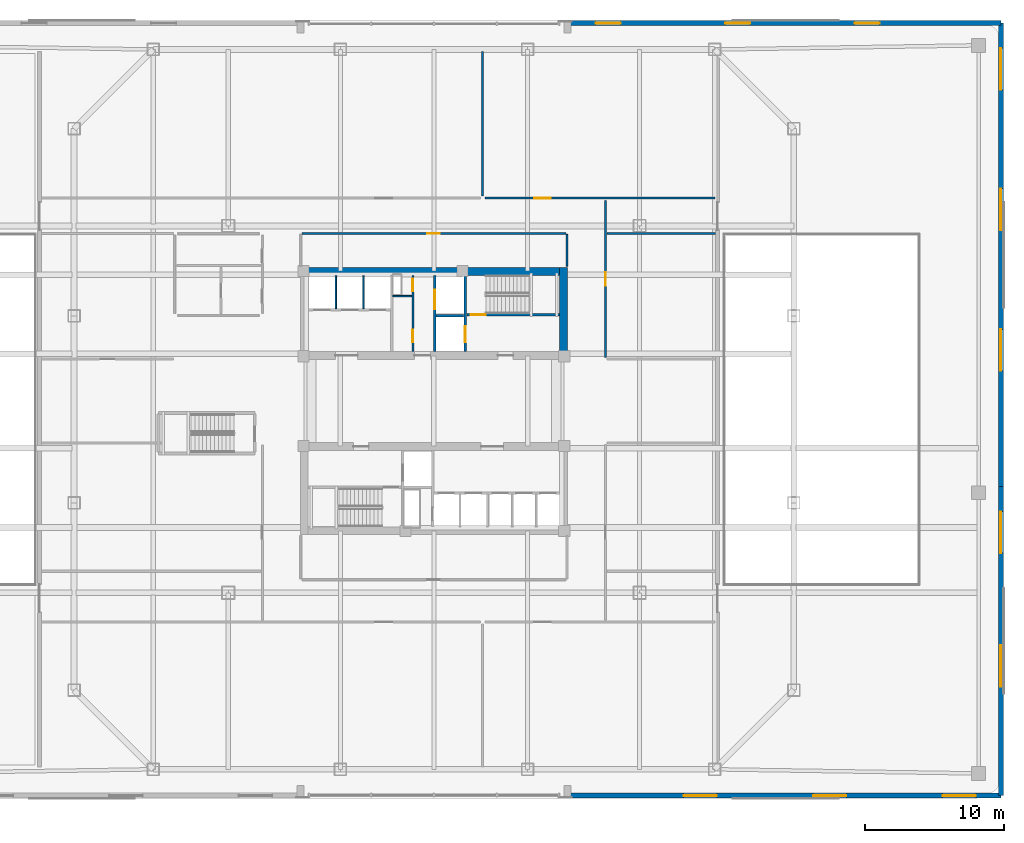
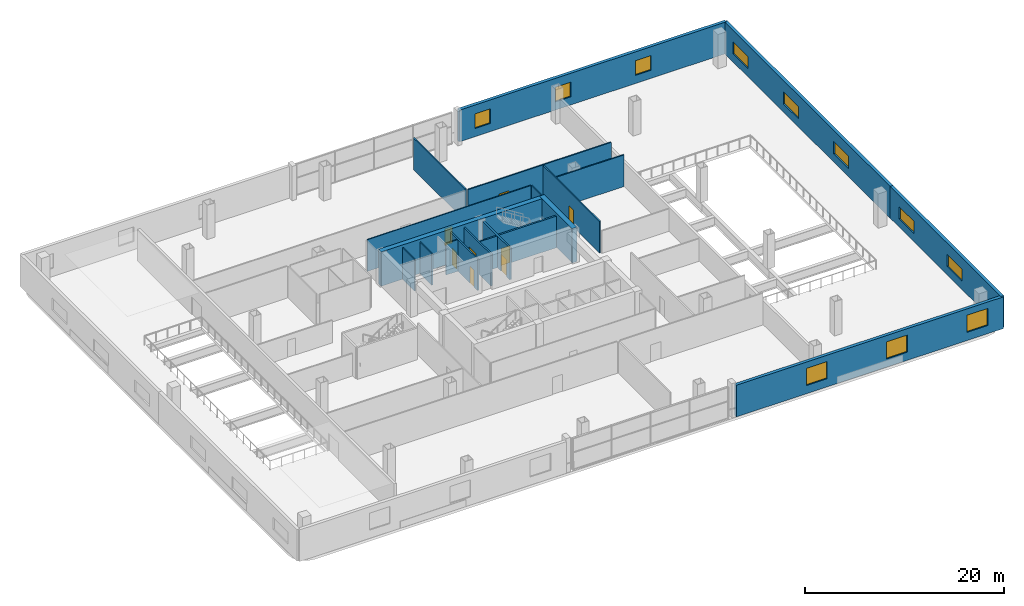
# One storey, part 14 of 21: 20 walls, 11 windows, 8 doors, 19 openings.
"""IFC4 building model written with IfcOpenShell, lengths in metres."""

from ifc_helpers import new_model, si_unit, direction, frame, frame_2d, origin, place, context, subcontext, project, spatial, rectangle, extrude, material, layer, layer_set, type_object, element, fill, save


model = new_model("IFC4")

# Units and contexts
model_context = context("Model", 3, precision=1e-05, world=origin(), true_north=direction((0.0, 1.0)))
body_context = subcontext(model_context, "Body", "Model", "MODEL_VIEW")
ifc_project = project(units=[si_unit("LENGTHUNIT", "METRE"), si_unit("AREAUNIT", "SQUARE_METRE"), si_unit("VOLUMEUNIT", "CUBIC_METRE"), si_unit("PLANEANGLEUNIT", "RADIAN"), si_unit("MASSUNIT", "GRAM", prefix="KILO")], contexts=[model_context])

# Site, building, storey
site_placement = place(None, origin())
site = spatial("IfcSite", under=ifc_project, at=site_placement, CompositionType="ELEMENT")
building_placement = place(site_placement, origin())
building = spatial("IfcBuilding", under=site, at=building_placement, Name="Qhalaya Broadcast Tower", CompositionType="ELEMENT")
storey_placement = place(building_placement, frame((0.0, 0.0, 9.300048828125)))
storey = spatial("IfcBuildingStorey", under=building, at=storey_placement, Name="L02", CompositionType="ELEMENT", Elevation=9.300048828125)

# Wall, openings, doors
ifc_material_1 = material(Name="Gypsum Acoustic Partition")
ifc_layer_1 = layer(ifc_material_1, 0.14990234375, Name="Gypsum Acoustic Partition")
ifc_layer_set_1 = layer_set([ifc_layer_1], Name="Gypsum Acoustic Partition")
wall_type_1 = type_object("IfcWallType", Name="Corridor & Tenancy Acoustic Partition 150", PredefinedType="PARTITIONING", material=ifc_layer_set_1)
wall_1_placement = place(storey_placement, frame((-1.52001953125, 4.169921875, 0.0), z_axis=(0.0, 0.0, 1.0), x_axis=(0.0, 1.0, 0.0)))
wall_1 = element("IfcWall", 1, at=wall_1_placement, inside=storey, type_object=wall_type_1, Name="L02 Partition Wall NCW-SVL", PredefinedType="PARTITIONING", context=body_context, shape_type="SweptSolid", body=[
    extrude(rectangle(XDim=5.4599609375, YDim=0.14990234375, at=frame_2d((2.72998046875, 0.0))), origin(), (0.0, 0.0, 1.0), 3.8798828125),
])
opening_1_placement = place(wall_1_placement, frame((4.330078125, 0.0, 0.0)))
opening_1 = element("IfcOpeningElement", 2, at=opening_1_placement, cuts=wall_1, Name="Opening D06", PredefinedType="OPENING", context=body_context, shape_type="SweptSolid", body=[
    extrude(rectangle(XDim=0.89990234375, YDim=2.050048828125, at=frame_2d((0.449951171875, 1.02490234375))), frame((0.0, 0.0869140625, 0.0), z_axis=(0.0, -1.0, 0.0), x_axis=(1.0, 0.0, 0.0)), (0.0, 0.0, 1.0), 0.173828125),
])
opening_2_placement = place(wall_1_placement, frame((0.64990234375, 0.0, 0.0)))
opening_2 = element("IfcOpeningElement", 3, at=opening_2_placement, cuts=wall_1, Name="Opening D06", PredefinedType="OPENING", context=body_context, shape_type="SweptSolid", body=[
    extrude(rectangle(XDim=0.89990234375, YDim=2.050048828125, at=frame_2d((0.449951171875, 1.02490234375))), frame((0.0, 0.0869140625, 0.0), z_axis=(0.0, -1.0, 0.0), x_axis=(1.0, 0.0, 0.0)), (0.0, 0.0, 1.0), 0.173828125),
])
ifc_material_2 = material(Name="Fire-Rated Steel Door", Category="steel")
door_type_1 = type_object("IfcDoorType", Name="Riser & Electrical Shaft Access Door D06", OperationType="NOTDEFINED", PredefinedType="DOOR", material=ifc_material_2)
door_1_placement = place(opening_1_placement, origin())
door_1 = element("IfcDoor", 4, at=door_1_placement, inside=storey, type_object=door_type_1, Name="L02 Riser Shaft Access Door D-NRSR", OperationType="SINGLE_SWING_RIGHT", OverallHeight=2.050048828125, OverallWidth=0.89990234375, PredefinedType="DOOR", context=body_context, shape_type="SweptSolid", body=[
    extrude(rectangle(XDim=0.89990234375, YDim=2.050048828125, at=frame_2d((0.449951171875, 1.02490234375))), frame((0.0, 0.02490234375, 0.0), z_axis=(0.0, -1.0, 0.0), x_axis=(1.0, 0.0, 0.0)), (0.0, 0.0, 1.0), 0.050048828125),
])
fill(opening_1, door_1)
door_2_placement = place(opening_2_placement, origin())
door_2 = element("IfcDoor", 5, at=door_2_placement, inside=storey, type_object=door_type_1, Name="L02 Door D-NCST", OperationType="SINGLE_SWING_LEFT", OverallHeight=2.050048828125, OverallWidth=0.89990234375, PredefinedType="DOOR", context=body_context, shape_type="SweptSolid", body=[
    extrude(rectangle(XDim=0.89990234375, YDim=2.050048828125, at=frame_2d((0.449951171875, 1.02490234375))), frame((0.0, 0.02490234375, 0.0), z_axis=(0.0, -1.0, 0.0), x_axis=(1.0, 0.0, 0.0)), (0.0, 0.0, 1.0), 0.050048828125),
])
fill(opening_2, door_2)

# Wall, opening, door
wall_2_placement = place(storey_placement, frame((3.659912109375, 15.199951171875, 0.0), z_axis=(0.0, 0.0, 1.0), x_axis=(1.0, 0.0, 0.0)))
wall_2 = element("IfcWall", 6, at=wall_2_placement, inside=storey, type_object=wall_type_1, Name="L02 Partition Wall W-STN1R", PredefinedType="PARTITIONING", context=body_context, shape_type="SweptSolid", body=[
    extrude(rectangle(XDim=16.580078125, YDim=0.14990234375, at=frame_2d((8.2900390625, 0.0))), origin(), (0.0, 0.0, 1.0), 3.8798828125),
])
opening_3_placement = place(wall_2_placement, frame((3.544921875, 0.0, 0.0)))
opening_3 = element("IfcOpeningElement", 7, at=opening_3_placement, cuts=wall_2, Name="Opening D11", PredefinedType="OPENING", context=body_context, shape_type="SweptSolid", body=[
    extrude(rectangle(XDim=1.199951171875, YDim=2.10009765625, at=frame_2d((0.60009765625, 1.050048828125))), frame((0.0, 0.0869140625, 0.0), z_axis=(0.0, -1.0, 0.0), x_axis=(1.0, 0.0, 0.0)), (0.0, 0.0, 1.0), 0.173828125),
])
ifc_material_3 = material(Name="Anodised Aluminium Glazed Door", Category="aluminium")
door_type_2 = type_object("IfcDoorType", Name="Conference, Boardroom & Studio Control Door D11", OperationType="NOTDEFINED", PredefinedType="DOOR", material=ifc_material_3)
door_3_placement = place(opening_3_placement, origin())
door_3 = element("IfcDoor", 8, at=door_3_placement, inside=storey, type_object=door_type_2, Name="L02 Door D-STN2", OperationType="SINGLE_SWING_RIGHT", OverallHeight=2.10009765625, OverallWidth=1.199951171875, PredefinedType="DOOR", context=body_context, shape_type="SweptSolid", body=[
    extrude(rectangle(XDim=1.199951171875, YDim=2.10009765625, at=frame_2d((0.60009765625, 1.050048828125))), frame((0.0, 0.02490234375, 0.0), z_axis=(0.0, -1.0, 0.0), x_axis=(1.0, 0.0, 0.0)), (0.0, 0.0, 1.0), 0.050048828125),
])
fill(opening_3, door_3)

# Wall
wall_3_placement = place(storey_placement, frame((3.5, 15.360107421875, 0.0), z_axis=(0.0, 0.0, 1.0), x_axis=(0.0, 1.0, 0.0)))
element("IfcWall", 9, at=wall_3_placement, inside=storey, type_object=wall_type_1, Name="L02 Partition Wall W-STMN", PredefinedType="PARTITIONING", context=body_context, shape_type="SweptSolid", body=[
    extrude(rectangle(XDim=10.3798828125, YDim=0.14990234375, at=frame_2d((5.18994140625, 0.0))), origin(), (0.0, 0.0, 1.0), 3.8798828125),
])

# Wall, opening, door
wall_4_placement = place(storey_placement, frame((12.35009765625, 3.739990234375, 0.0), z_axis=(0.0, 0.0, 1.0), x_axis=(0.0, 1.0, 0.0)))
wall_4 = element("IfcWall", 10, at=wall_4_placement, inside=storey, type_object=wall_type_1, Name="L02 Partition Wall W-STPEN", PredefinedType="PARTITIONING", context=body_context, shape_type="SweptSolid", body=[
    extrude(rectangle(XDim=11.300048828125, YDim=0.14990234375, at=frame_2d((5.64990234375, 0.0))), origin(), (0.0, 0.0, 1.0), 3.8798828125),
])
opening_4_placement = place(wall_4_placement, frame((5.175048828125, 0.0, 0.0)))
opening_4 = element("IfcOpeningElement", 11, at=opening_4_placement, cuts=wall_4, Name="Opening D10", PredefinedType="OPENING", context=body_context, shape_type="SweptSolid", body=[
    extrude(rectangle(XDim=0.949951171875, YDim=2.10009765625, at=frame_2d((0.47509765625, 1.050048828125))), frame((0.0, 0.0869140625, 0.0), z_axis=(0.0, -1.0, 0.0), x_axis=(1.0, 0.0, 0.0)), (0.0, 0.0, 1.0), 0.173828125),
])
ifc_material_4 = material(Name="Timber Veneer Acoustic Door", Category="wood")
door_type_3 = type_object("IfcDoorType", Name="Cellular Office & Edit Booth Door D10", OperationType="NOTDEFINED", PredefinedType="DOOR", material=ifc_material_4)
door_4_placement = place(opening_4_placement, origin())
door_4 = element("IfcDoor", 12, at=door_4_placement, inside=storey, type_object=door_type_3, Name="L02 Door D-STPE2", OperationType="SINGLE_SWING_LEFT", OverallHeight=2.10009765625, OverallWidth=0.949951171875, PredefinedType="DOOR", context=body_context, shape_type="SweptSolid", body=[
    extrude(rectangle(XDim=0.949951171875, YDim=2.10009765625, at=frame_2d((0.47509765625, 1.050048828125))), frame((0.0, 0.02490234375, 0.0), z_axis=(0.0, -1.0, 0.0), x_axis=(1.0, 0.0, 0.0)), (0.0, 0.0, 1.0), 0.050048828125),
])
fill(opening_4, door_4)

# Wall
wall_5_placement = place(storey_placement, frame((12.4599609375, 12.659912109375, 0.0), z_axis=(0.0, 0.0, 1.0), x_axis=(1.0, 0.0, 0.0)))
element("IfcWall", 13, at=wall_5_placement, inside=storey, type_object=wall_type_1, Name="L02 Partition Wall W-GAL-NE", PredefinedType="PARTITIONING", context=body_context, shape_type="SweptSolid", body=[
    extrude(rectangle(XDim=7.800048828125, YDim=0.14990234375, at=frame_2d((3.89990234375, 0.0))), origin(), (0.0, 0.0, 1.0), 3.8798828125),
])

# Wall, openings, windows
ifc_material_5 = material(Name="Precast Concrete C40/50", Category="concrete")
ifc_layer_2 = layer(ifc_material_5, 0.360107421875, Name="Precast Concrete C40/50")
ifc_layer_set_2 = layer_set([ifc_layer_2], Name="Precast Concrete C40/50")
wall_type_2 = type_object("IfcWallType", Name="Insulated Precast Terracotta Exterior Wall 360", PredefinedType="SOLIDWALL", material=ifc_layer_set_2)
wall_6_placement = place(storey_placement, frame((40.800048828125, -27.800048828125, 0.0), z_axis=(0.0, 0.0, 1.0), x_axis=(-1.0, 0.0, 0.0)))
wall_6 = element("IfcWall", 14, at=wall_6_placement, inside=storey, type_object=wall_type_2, Name="L02 Podium Exterior Terracotta Wall EW-SE", PredefinedType="SOLIDWALL", context=body_context, shape_type="SweptSolid", body=[
    extrude(rectangle(XDim=30.9599609375, YDim=0.360107421875, at=frame_2d((15.47998046875, 0.0))), origin(), (0.0, 0.0, 1.0), 3.8798828125),
])
opening_5_placement = place(wall_6_placement, frame((1.800048828125, 0.0, 1.0)))
opening_5 = element("IfcOpeningElement", 15, at=opening_5_placement, cuts=wall_6, Name="Opening W01", PredefinedType="OPENING", context=body_context, shape_type="SweptSolid", body=[
    extrude(rectangle(XDim=2.39990234375, YDim=2.10009765625, at=frame_2d((1.199951171875, 1.050048828125))), frame((0.0, 0.192138671875, 0.0), z_axis=(0.0, -1.0, 0.0), x_axis=(1.0, 0.0, 0.0)), (0.0, 0.0, 1.0), 0.384033203125),
])
opening_6_placement = place(wall_6_placement, frame((11.1201171875, 0.0, 1.0)))
opening_6 = element("IfcOpeningElement", 16, at=opening_6_placement, cuts=wall_6, Name="Opening W01", PredefinedType="OPENING", context=body_context, shape_type="SweptSolid", body=[
    extrude(rectangle(XDim=2.39990234375, YDim=2.10009765625, at=frame_2d((1.199951171875, 1.050048828125))), frame((0.0, 0.192138671875, 0.0), z_axis=(0.0, -1.0, 0.0), x_axis=(1.0, 0.0, 0.0)), (0.0, 0.0, 1.0), 0.384033203125),
])
opening_7_placement = place(wall_6_placement, frame((20.43994140625, 0.0, 1.0)))
opening_7 = element("IfcOpeningElement", 17, at=opening_7_placement, cuts=wall_6, Name="Opening W01", PredefinedType="OPENING", context=body_context, shape_type="SweptSolid", body=[
    extrude(rectangle(XDim=2.39990234375, YDim=2.10009765625, at=frame_2d((1.199951171875, 1.050048828125))), frame((0.0, 0.192138671875, 0.0), z_axis=(0.0, -1.0, 0.0), x_axis=(1.0, 0.0, 0.0)), (0.0, 0.0, 1.0), 0.384033203125),
])
ifc_material_6 = material(Name="Solar-Control Low-E Triple Glazing", Category="glass")
window_type_1 = type_object("IfcWindowType", Name="Podium Broadcast Studio Acoustic Window W01", PartitioningType="SINGLE_PANEL", PredefinedType="WINDOW", material=ifc_material_6)
window_1_placement = place(opening_5_placement, origin())
window_1 = element("IfcWindow", 18, at=window_1_placement, inside=storey, type_object=window_type_1, Name="L02 Facade Window W01-1", OverallHeight=2.10009765625, OverallWidth=2.39990234375, PartitioningType="SINGLE_PANEL", PredefinedType="WINDOW", context=body_context, shape_type="SweptSolid", body=[
    extrude(rectangle(XDim=2.39990234375, YDim=2.10009765625, at=frame_2d((1.199951171875, 1.050048828125))), frame((0.0, 0.030029296875, 0.0), z_axis=(0.0, -1.0, 0.0), x_axis=(1.0, 0.0, 0.0)), (0.0, 0.0, 1.0), 0.06005859375),
])
fill(opening_5, window_1)
window_2_placement = place(opening_6_placement, origin())
window_2 = element("IfcWindow", 19, at=window_2_placement, inside=storey, type_object=window_type_1, Name="L02 Facade Window W01-2", OverallHeight=2.10009765625, OverallWidth=2.39990234375, PartitioningType="SINGLE_PANEL", PredefinedType="WINDOW", context=body_context, shape_type="SweptSolid", body=[
    extrude(rectangle(XDim=2.39990234375, YDim=2.10009765625, at=frame_2d((1.199951171875, 1.050048828125))), frame((0.0, 0.030029296875, 0.0), z_axis=(0.0, -1.0, 0.0), x_axis=(1.0, 0.0, 0.0)), (0.0, 0.0, 1.0), 0.06005859375),
])
fill(opening_6, window_2)
window_3_placement = place(opening_7_placement, origin())
window_3 = element("IfcWindow", 20, at=window_3_placement, inside=storey, type_object=window_type_1, Name="L02 Facade Window W01-3", OverallHeight=2.10009765625, OverallWidth=2.39990234375, PartitioningType="SINGLE_PANEL", PredefinedType="WINDOW", context=body_context, shape_type="SweptSolid", body=[
    extrude(rectangle(XDim=2.39990234375, YDim=2.10009765625, at=frame_2d((1.199951171875, 1.050048828125))), frame((0.0, 0.030029296875, 0.0), z_axis=(0.0, -1.0, 0.0), x_axis=(1.0, 0.0, 0.0)), (0.0, 0.0, 1.0), 0.06005859375),
])
fill(opening_7, window_3)

wall_7_placement = place(storey_placement, frame((9.840087890625, 27.800048828125, 0.0), z_axis=(0.0, 0.0, 1.0), x_axis=(1.0, 0.0, 0.0)))
wall_7 = element("IfcWall", 21, at=wall_7_placement, inside=storey, type_object=wall_type_2, Name="L02 Podium Exterior Terracotta Wall EW-NE", PredefinedType="SOLIDWALL", context=body_context, shape_type="SweptSolid", body=[
    extrude(rectangle(XDim=30.9599609375, YDim=0.360107421875, at=frame_2d((15.47998046875, 0.0))), origin(), (0.0, 0.0, 1.0), 3.8798828125),
])
opening_8_placement = place(wall_7_placement, frame((1.800048828125, 0.0, 1.0)))
opening_8 = element("IfcOpeningElement", 22, at=opening_8_placement, cuts=wall_7, Name="Opening W02", PredefinedType="OPENING", context=body_context, shape_type="SweptSolid", body=[
    extrude(rectangle(XDim=1.800048828125, YDim=1.800048828125, at=frame_2d((0.89990234375, 0.89990234375))), frame((0.0, 0.192138671875, 0.0), z_axis=(0.0, -1.0, 0.0), x_axis=(1.0, 0.0, 0.0)), (0.0, 0.0, 1.0), 0.384033203125),
])
opening_9_placement = place(wall_7_placement, frame((11.1201171875, 0.0, 1.0)))
opening_9 = element("IfcOpeningElement", 23, at=opening_9_placement, cuts=wall_7, Name="Opening W02", PredefinedType="OPENING", context=body_context, shape_type="SweptSolid", body=[
    extrude(rectangle(XDim=1.800048828125, YDim=1.800048828125, at=frame_2d((0.89990234375, 0.89990234375))), frame((0.0, 0.192138671875, 0.0), z_axis=(0.0, -1.0, 0.0), x_axis=(1.0, 0.0, 0.0)), (0.0, 0.0, 1.0), 0.384033203125),
])
opening_10_placement = place(wall_7_placement, frame((20.43994140625, 0.0, 1.0)))
opening_10 = element("IfcOpeningElement", 24, at=opening_10_placement, cuts=wall_7, Name="Opening W02", PredefinedType="OPENING", context=body_context, shape_type="SweptSolid", body=[
    extrude(rectangle(XDim=1.800048828125, YDim=1.800048828125, at=frame_2d((0.89990234375, 0.89990234375))), frame((0.0, 0.192138671875, 0.0), z_axis=(0.0, -1.0, 0.0), x_axis=(1.0, 0.0, 0.0)), (0.0, 0.0, 1.0), 0.384033203125),
])
window_type_2 = type_object("IfcWindowType", Name="Podium Production Office Window W02", PartitioningType="SINGLE_PANEL", PredefinedType="WINDOW", material=ifc_material_6)
window_4_placement = place(opening_8_placement, origin())
window_4 = element("IfcWindow", 25, at=window_4_placement, inside=storey, type_object=window_type_2, Name="L02 Facade Window W02-1", OverallHeight=1.800048828125, OverallWidth=1.800048828125, PartitioningType="SINGLE_PANEL", PredefinedType="WINDOW", context=body_context, shape_type="SweptSolid", body=[
    extrude(rectangle(XDim=1.800048828125, YDim=1.800048828125, at=frame_2d((0.89990234375, 0.89990234375))), frame((0.0, 0.030029296875, 0.0), z_axis=(0.0, -1.0, 0.0), x_axis=(1.0, 0.0, 0.0)), (0.0, 0.0, 1.0), 0.06005859375),
])
fill(opening_8, window_4)
window_5_placement = place(opening_9_placement, origin())
window_5 = element("IfcWindow", 26, at=window_5_placement, inside=storey, type_object=window_type_2, Name="L02 Facade Window W02-2", OverallHeight=1.800048828125, OverallWidth=1.800048828125, PartitioningType="SINGLE_PANEL", PredefinedType="WINDOW", context=body_context, shape_type="SweptSolid", body=[
    extrude(rectangle(XDim=1.800048828125, YDim=1.800048828125, at=frame_2d((0.89990234375, 0.89990234375))), frame((0.0, 0.030029296875, 0.0), z_axis=(0.0, -1.0, 0.0), x_axis=(1.0, 0.0, 0.0)), (0.0, 0.0, 1.0), 0.06005859375),
])
fill(opening_9, window_5)
window_6_placement = place(opening_10_placement, origin())
window_6 = element("IfcWindow", 27, at=window_6_placement, inside=storey, type_object=window_type_2, Name="L02 Facade Window W02-3", OverallHeight=1.800048828125, OverallWidth=1.800048828125, PartitioningType="SINGLE_PANEL", PredefinedType="WINDOW", context=body_context, shape_type="SweptSolid", body=[
    extrude(rectangle(XDim=1.800048828125, YDim=1.800048828125, at=frame_2d((0.89990234375, 0.89990234375))), frame((0.0, 0.030029296875, 0.0), z_axis=(0.0, -1.0, 0.0), x_axis=(1.0, 0.0, 0.0)), (0.0, 0.0, 1.0), 0.06005859375),
])
fill(opening_10, window_6)

wall_8_placement = place(storey_placement, frame((40.800048828125, -5.550048828125, 0.0), z_axis=(0.0, 0.0, 1.0), x_axis=(0.0, -1.0, 0.0)))
wall_8 = element("IfcWall", 28, at=wall_8_placement, inside=storey, type_object=wall_type_2, Name="L02 Podium Exterior Terracotta Wall EW-ES", PredefinedType="SOLIDWALL", context=body_context, shape_type="SweptSolid", body=[
    extrude(rectangle(XDim=22.25, YDim=0.360107421875, at=frame_2d((11.125, 0.0))), origin(), (0.0, 0.0, 1.0), 3.8798828125),
])
opening_11_placement = place(wall_8_placement, frame((1.800048828125, 0.0, 1.0)))
opening_11 = element("IfcOpeningElement", 29, at=opening_11_placement, cuts=wall_8, Name="Opening W03", PredefinedType="OPENING", context=body_context, shape_type="SweptSolid", body=[
    extrude(rectangle(XDim=3.0, YDim=1.5, at=frame_2d((1.5, 0.75))), frame((0.0, 0.192138671875, 0.0), z_axis=(0.0, -1.0, 0.0), x_axis=(1.0, 0.0, 0.0)), (0.0, 0.0, 1.0), 0.384033203125),
])
opening_12_placement = place(wall_8_placement, frame((11.425048828125, 0.0, 1.0)))
opening_12 = element("IfcOpeningElement", 30, at=opening_12_placement, cuts=wall_8, Name="Opening W03", PredefinedType="OPENING", context=body_context, shape_type="SweptSolid", body=[
    extrude(rectangle(XDim=3.0, YDim=1.5, at=frame_2d((1.5, 0.75))), frame((0.0, 0.192138671875, 0.0), z_axis=(0.0, -1.0, 0.0), x_axis=(1.0, 0.0, 0.0)), (0.0, 0.0, 1.0), 0.384033203125),
])
window_type_3 = type_object("IfcWindowType", Name="Podium Concourse Clerestory Window W03", PartitioningType="SINGLE_PANEL", PredefinedType="WINDOW", material=ifc_material_6)
window_7_placement = place(opening_11_placement, origin())
window_7 = element("IfcWindow", 31, at=window_7_placement, inside=storey, type_object=window_type_3, Name="L02 Facade Window W03-1", OverallHeight=1.5, OverallWidth=3.0, PartitioningType="SINGLE_PANEL", PredefinedType="WINDOW", context=body_context, shape_type="SweptSolid", body=[
    extrude(rectangle(XDim=3.0, YDim=1.5, at=frame_2d((1.5, 0.75))), frame((0.0, 0.030029296875, 0.0), z_axis=(0.0, -1.0, 0.0), x_axis=(1.0, 0.0, 0.0)), (0.0, 0.0, 1.0), 0.06005859375),
])
fill(opening_11, window_7)
window_8_placement = place(opening_12_placement, origin())
window_8 = element("IfcWindow", 32, at=window_8_placement, inside=storey, type_object=window_type_3, Name="L02 Facade Window W03-2", OverallHeight=1.5, OverallWidth=3.0, PartitioningType="SINGLE_PANEL", PredefinedType="WINDOW", context=body_context, shape_type="SweptSolid", body=[
    extrude(rectangle(XDim=3.0, YDim=1.5, at=frame_2d((1.5, 0.75))), frame((0.0, 0.030029296875, 0.0), z_axis=(0.0, -1.0, 0.0), x_axis=(1.0, 0.0, 0.0)), (0.0, 0.0, 1.0), 0.06005859375),
])
fill(opening_12, window_8)

wall_9_placement = place(storey_placement, frame((40.800048828125, 27.800048828125, 0.0), z_axis=(0.0, 0.0, 1.0), x_axis=(0.0, -1.0, 0.0)))
wall_9 = element("IfcWall", 33, at=wall_9_placement, inside=storey, type_object=wall_type_2, Name="L02 Podium Exterior Terracotta Wall EW-EN", PredefinedType="SOLIDWALL", context=body_context, shape_type="SweptSolid", body=[
    extrude(rectangle(XDim=33.35009765625, YDim=0.360107421875, at=frame_2d((16.675048828125, 0.0))), origin(), (0.0, 0.0, 1.0), 3.8798828125),
])
opening_13_placement = place(wall_9_placement, frame((1.800048828125, 0.0, 1.0)))
opening_13 = element("IfcOpeningElement", 34, at=opening_13_placement, cuts=wall_9, Name="Opening W03", PredefinedType="OPENING", context=body_context, shape_type="SweptSolid", body=[
    extrude(rectangle(XDim=3.0, YDim=1.5, at=frame_2d((1.5, 0.75))), frame((0.0, 0.192138671875, 0.0), z_axis=(0.0, -1.0, 0.0), x_axis=(1.0, 0.0, 0.0)), (0.0, 0.0, 1.0), 0.384033203125),
])
opening_14_placement = place(wall_9_placement, frame((11.9169921875, 0.0, 1.0)))
opening_14 = element("IfcOpeningElement", 35, at=opening_14_placement, cuts=wall_9, Name="Opening W03", PredefinedType="OPENING", context=body_context, shape_type="SweptSolid", body=[
    extrude(rectangle(XDim=3.0, YDim=1.5, at=frame_2d((1.5, 0.75))), frame((0.0, 0.192138671875, 0.0), z_axis=(0.0, -1.0, 0.0), x_axis=(1.0, 0.0, 0.0)), (0.0, 0.0, 1.0), 0.384033203125),
])
opening_15_placement = place(wall_9_placement, frame((22.032958984375, 0.0, 1.0)))
opening_15 = element("IfcOpeningElement", 36, at=opening_15_placement, cuts=wall_9, Name="Opening W03", PredefinedType="OPENING", context=body_context, shape_type="SweptSolid", body=[
    extrude(rectangle(XDim=3.0, YDim=1.5, at=frame_2d((1.5, 0.75))), frame((0.0, 0.192138671875, 0.0), z_axis=(0.0, -1.0, 0.0), x_axis=(1.0, 0.0, 0.0)), (0.0, 0.0, 1.0), 0.384033203125),
])
window_9_placement = place(opening_13_placement, origin())
window_9 = element("IfcWindow", 37, at=window_9_placement, inside=storey, type_object=window_type_3, Name="L02 Facade Window W03-1", OverallHeight=1.5, OverallWidth=3.0, PartitioningType="SINGLE_PANEL", PredefinedType="WINDOW", context=body_context, shape_type="SweptSolid", body=[
    extrude(rectangle(XDim=3.0, YDim=1.5, at=frame_2d((1.5, 0.75))), frame((0.0, 0.030029296875, 0.0), z_axis=(0.0, -1.0, 0.0), x_axis=(1.0, 0.0, 0.0)), (0.0, 0.0, 1.0), 0.06005859375),
])
fill(opening_13, window_9)
window_10_placement = place(opening_14_placement, origin())
window_10 = element("IfcWindow", 38, at=window_10_placement, inside=storey, type_object=window_type_3, Name="L02 Facade Window W03-2", OverallHeight=1.5, OverallWidth=3.0, PartitioningType="SINGLE_PANEL", PredefinedType="WINDOW", context=body_context, shape_type="SweptSolid", body=[
    extrude(rectangle(XDim=3.0, YDim=1.5, at=frame_2d((1.5, 0.75))), frame((0.0, 0.030029296875, 0.0), z_axis=(0.0, -1.0, 0.0), x_axis=(1.0, 0.0, 0.0)), (0.0, 0.0, 1.0), 0.06005859375),
])
fill(opening_14, window_10)
window_11_placement = place(opening_15_placement, origin())
window_11 = element("IfcWindow", 39, at=window_11_placement, inside=storey, type_object=window_type_3, Name="L02 Facade Window W03-3", OverallHeight=1.5, OverallWidth=3.0, PartitioningType="SINGLE_PANEL", PredefinedType="WINDOW", context=body_context, shape_type="SweptSolid", body=[
    extrude(rectangle(XDim=3.0, YDim=1.5, at=frame_2d((1.5, 0.75))), frame((0.0, 0.030029296875, 0.0), z_axis=(0.0, -1.0, 0.0), x_axis=(1.0, 0.0, 0.0)), (0.0, 0.0, 1.0), 0.06005859375),
])
fill(opening_15, window_11)

# Wall, opening, door
ifc_material_7 = material(Name="Concrete C50/60", Category="concrete")
ifc_layer_3 = layer(ifc_material_7, 0.199951171875, Name="Concrete C50/60")
ifc_layer_set_3 = layer_set([ifc_layer_3], Name="Concrete C50/60")
wall_type_3 = type_object("IfcWallType", Name="Load-Bearing Stair Shaft Wall 200", PredefinedType="SHEAR", material=ifc_layer_set_3)
wall_10_placement = place(storey_placement, frame((2.360107421875, 6.804931640625, 0.0), z_axis=(0.0, 0.0, 1.0), x_axis=(1.0, 0.0, 0.0)))
wall_10 = element("IfcWall", 40, at=wall_10_placement, inside=storey, type_object=wall_type_3, Name="L02 Stair Core Shear Wall NCW-ST1", PredefinedType="SHEAR", context=body_context, shape_type="SweptSolid", body=[
    extrude(rectangle(XDim=6.669921875, YDim=0.199951171875, at=frame_2d((3.3349609375, 0.0))), origin(), (0.0, 0.0, 1.0), 3.8798828125),
])
opening_16_placement = place(wall_10_placement, frame((0.300048828125, 0.0, 0.0)))
opening_16 = element("IfcOpeningElement", 41, at=opening_16_placement, cuts=wall_10, Name="Opening D03", PredefinedType="OPENING", context=body_context, shape_type="SweptSolid", body=[
    extrude(rectangle(XDim=1.050048828125, YDim=2.080078125, at=frame_2d((0.52490234375, 1.0400390625))), frame((0.0, 0.112060546875, 0.0), z_axis=(0.0, -1.0, 0.0), x_axis=(1.0, 0.0, 0.0)), (0.0, 0.0, 1.0), 0.223876953125),
])
door_type_4 = type_object("IfcDoorType", Name="Core Stair Protected Fire Door D03", OperationType="NOTDEFINED", PredefinedType="DOOR", material=ifc_material_2)
door_5_placement = place(opening_16_placement, origin())
door_5 = element("IfcDoor", 42, at=door_5_placement, inside=storey, type_object=door_type_4, Name="L02 Door D-NST1", OperationType="SINGLE_SWING_LEFT", OverallHeight=2.080078125, OverallWidth=1.050048828125, PredefinedType="DOOR", context=body_context, shape_type="SweptSolid", body=[
    extrude(rectangle(XDim=1.050048828125, YDim=2.080078125, at=frame_2d((0.52490234375, 1.0400390625))), frame((0.0, 0.02490234375, 0.0), z_axis=(0.0, -1.0, 0.0), x_axis=(1.0, 0.0, 0.0)), (0.0, 0.0, 1.0), 0.050048828125),
])
fill(opening_16, door_5)

wall_11_placement = place(storey_placement, frame((2.25, 4.169921875, 0.0), z_axis=(0.0, 0.0, 1.0), x_axis=(0.0, 1.0, 0.0)))
wall_11 = element("IfcWall", 43, at=wall_11_placement, inside=storey, type_object=wall_type_3, Name="L02 Stair Core Shear Wall NCW-FF", PredefinedType="SHEAR", context=body_context, shape_type="SweptSolid", body=[
    extrude(rectangle(XDim=5.4599609375, YDim=0.199951171875, at=frame_2d((2.72998046875, 0.0))), origin(), (0.0, 0.0, 1.0), 3.8798828125),
])
opening_17_placement = place(wall_11_placement, frame((0.64990234375, 0.0, 0.0)))
opening_17 = element("IfcOpeningElement", 44, at=opening_17_placement, cuts=wall_11, Name="Opening LD2", PredefinedType="OPENING", context=body_context, shape_type="SweptSolid", body=[
    extrude(rectangle(XDim=1.14990234375, YDim=2.080078125, at=frame_2d((0.574951171875, 1.0400390625))), frame((0.0, 0.112060546875, 0.0), z_axis=(0.0, -1.0, 0.0), x_axis=(1.0, 0.0, 0.0)), (0.0, 0.0, 1.0), 0.223876953125),
])
ifc_material_8 = material(Name="Brushed Stainless Steel Lift Door", Category="steel")
door_type_5 = type_object("IfcDoorType", Name="Firefighting Lift Sliding Landing Door LD2", OperationType="DOUBLE_DOOR_SLIDING", PredefinedType="DOOR", material=ifc_material_8)
door_6_placement = place(opening_17_placement, origin())
door_6 = element("IfcDoor", 45, at=door_6_placement, inside=storey, type_object=door_type_5, Name="L02 Door LD-FF1", OperationType="DOUBLE_DOOR_SLIDING", OverallHeight=2.080078125, OverallWidth=1.14990234375, PredefinedType="DOOR", context=body_context, shape_type="SweptSolid", body=[
    extrude(rectangle(XDim=1.14990234375, YDim=2.080078125, at=frame_2d((0.574951171875, 1.0400390625))), frame((0.0, 0.02490234375, 0.0), z_axis=(0.0, -1.0, 0.0), x_axis=(1.0, 0.0, 0.0)), (0.0, 0.0, 1.0), 0.050048828125),
])
fill(opening_17, door_6)

# Walls
ifc_material_9 = material(Name="Concrete C60/75", Category="concrete")
ifc_layer_4 = layer(ifc_material_9, 0.550048828125, Name="Concrete C60/75")
ifc_layer_set_4 = layer_set([ifc_layer_4], Name="Concrete C60/75")
wall_type_4 = type_object("IfcWallType", Name="Lower Split-Core Shear Wall 550", PredefinedType="SHEAR", material=ifc_layer_set_4)
wall_12_placement = place(storey_placement, frame((-9.60009765625, 9.925048828125, 0.0), z_axis=(0.0, 0.0, 1.0), x_axis=(1.0, 0.0, 0.0)))
element("IfcWall", 46, at=wall_12_placement, inside=storey, type_object=wall_type_4, Name="L02 Split-Core Shear Wall CW-NN", PredefinedType="SHEAR", context=body_context, shape_type="SweptSolid", body=[
    extrude(rectangle(XDim=19.2001953125, YDim=0.550048828125, at=frame_2d((9.60009765625, 0.0))), origin(), (0.0, 0.0, 1.0), 4.199951171875),
])
wall_13_placement = place(storey_placement, frame((9.324951171875, 3.60009765625, 0.0), z_axis=(0.0, 0.0, 1.0), x_axis=(0.0, 1.0, 0.0)))
element("IfcWall", 47, at=wall_13_placement, inside=storey, type_object=wall_type_4, Name="L02 Split-Core Shear Wall CW-NE", PredefinedType="SHEAR", context=body_context, shape_type="SweptSolid", body=[
    extrude(rectangle(XDim=6.599853515625, YDim=0.550048828125, at=frame_2d((3.2998046875, 0.0))), origin(), (0.0, 0.0, 1.0), 4.199951171875),
])
ifc_layer_5 = layer(ifc_material_1, 0.1201171875, Name="Gypsum Acoustic Partition")
ifc_layer_set_5 = layer_set([ifc_layer_5], Name="Gypsum Acoustic Partition")
wall_type_5 = type_object("IfcWallType", Name="Office, Booth & Sanitary Partition 120", PredefinedType="PARTITIONING", material=ifc_layer_set_5)
wall_14_placement = place(storey_placement, frame((-2.9599609375, 8.14990234375, 0.0), z_axis=(0.0, 0.0, 1.0), x_axis=(1.0, 0.0, 0.0)))
element("IfcWall", 48, at=wall_14_placement, inside=storey, type_object=wall_type_5, Name="L02 Partition Wall NCW-VA", PredefinedType="PARTITIONING", context=body_context, shape_type="SweptSolid", body=[
    extrude(rectangle(XDim=1.35986328125, YDim=0.1201171875, at=frame_2d((0.679931640625, 0.0))), origin(), (0.0, 0.0, 1.0), 3.8798828125),
])
for number, where, z_axis, x_axis, name in (
    (49, (-7.06005859375, 7.25, 0.0), (0.0, 0.0, 1.0), (0.0, 1.0, 0.0), "L02 Partition Wall NCW-PD1"),
    (50, (-5.06005859375, 7.25, 0.0), (0.0, 0.0, 1.0), (0.0, 1.0, 0.0), "L02 Partition Wall NCW-PD2"),
):
    element("IfcWall", number, at=place(storey_placement, frame(where, z_axis=z_axis, x_axis=x_axis)), inside=storey, type_object=wall_type_5, Name=name, PredefinedType="PARTITIONING", context=body_context, shape_type="SweptSolid", body=[
        extrude(rectangle(XDim=2.3798828125, YDim=0.1201171875, at=frame_2d((1.18994140625, 0.0))), origin(), (0.0, 0.0, 1.0), 3.8798828125),
    ])

# Wall, opening, door
wall_15_placement = place(storey_placement, frame((-9.489990234375, 12.659912109375, 0.0), z_axis=(0.0, 0.0, 1.0), x_axis=(1.0, 0.0, 0.0)))
wall_15 = element("IfcWall", 51, at=wall_15_placement, inside=storey, type_object=wall_type_5, Name="L02 Partition Wall W-PCSHN", PredefinedType="PARTITIONING", context=body_context, shape_type="SweptSolid", body=[
    extrude(rectangle(XDim=18.97998046875, YDim=0.1201171875, at=frame_2d((9.489990234375, 0.0))), origin(), (0.0, 0.0, 1.0), 3.8798828125),
])
opening_18_placement = place(wall_15_placement, frame((9.014892578125, 0.0, 0.0)))
opening_18 = element("IfcOpeningElement", 52, at=opening_18_placement, cuts=wall_15, Name="Opening D06", PredefinedType="OPENING", context=body_context, shape_type="SweptSolid", body=[
    extrude(rectangle(XDim=0.89990234375, YDim=2.050048828125, at=frame_2d((0.449951171875, 1.02490234375))), frame((0.0, 0.072021484375, 0.0), z_axis=(0.0, -1.0, 0.0), x_axis=(1.0, 0.0, 0.0)), (0.0, 0.0, 1.0), 0.14404296875),
])
door_7_placement = place(opening_18_placement, origin())
door_7 = element("IfcDoor", 53, at=door_7_placement, inside=storey, type_object=door_type_1, Name="L02 Door D-PCSHN", OperationType="SINGLE_SWING_LEFT", OverallHeight=2.050048828125, OverallWidth=0.89990234375, PredefinedType="DOOR", context=body_context, shape_type="SweptSolid", body=[
    extrude(rectangle(XDim=0.89990234375, YDim=2.050048828125, at=frame_2d((0.449951171875, 1.02490234375))), frame((0.0, 0.02490234375, 0.0), z_axis=(0.0, -1.0, 0.0), x_axis=(1.0, 0.0, 0.0)), (0.0, 0.0, 1.0), 0.050048828125),
])
fill(opening_18, door_7)

# Wall
wall_16_placement = place(storey_placement, frame((9.580078125, 10.31005859375, 0.0), z_axis=(0.0, 0.0, 1.0), x_axis=(0.0, 1.0, 0.0)))
element("IfcWall", 54, at=wall_16_placement, inside=storey, type_object=wall_type_5, Name="L02 Partition Wall W-PCSHNE", PredefinedType="PARTITIONING", context=body_context, shape_type="SweptSolid", body=[
    extrude(rectangle(XDim=2.280029296875, YDim=0.1201171875, at=frame_2d((1.14013671875, 0.0))), origin(), (0.0, 0.0, 1.0), 3.8798828125),
])

# Wall, opening, door
ifc_layer_6 = layer(ifc_material_1, 0.175048828125, Name="Gypsum Acoustic Partition")
ifc_layer_set_6 = layer_set([ifc_layer_6], Name="Gypsum Acoustic Partition")
wall_type_6 = type_object("IfcWallType", Name="Shaft & Riser Fire Partition 175", PredefinedType="PARTITIONING", material=ifc_layer_set_6)
wall_17_placement = place(storey_placement, frame((0.06005859375, 4.169921875, 0.0), z_axis=(0.0, 0.0, 1.0), x_axis=(0.0, 1.0, 0.0)))
wall_17 = element("IfcWall", 55, at=wall_17_placement, inside=storey, type_object=wall_type_6, Name="L02 Partition Wall NCW-SVW", PredefinedType="PARTITIONING", context=body_context, shape_type="SweptSolid", body=[
    extrude(rectangle(XDim=5.4599609375, YDim=0.175048828125, at=frame_2d((2.72998046875, 0.0))), origin(), (0.0, 0.0, 1.0), 3.8798828125),
])
opening_19_placement = place(wall_17_placement, frame((3.050048828125, 0.0, 0.0)))
opening_19 = element("IfcOpeningElement", 56, at=opening_19_placement, cuts=wall_17, Name="Opening LD3", PredefinedType="OPENING", context=body_context, shape_type="SweptSolid", body=[
    extrude(rectangle(XDim=1.39990234375, YDim=2.1201171875, at=frame_2d((0.699951171875, 1.06005859375))), frame((0.0, 0.099609375, 0.0), z_axis=(0.0, -1.0, 0.0), x_axis=(1.0, 0.0, 0.0)), (0.0, 0.0, 1.0), 0.198974609375),
])
door_type_6 = type_object("IfcDoorType", Name="Service Lift Wide Sliding Landing Door LD3", OperationType="DOUBLE_DOOR_SLIDING", PredefinedType="DOOR", material=ifc_material_8)
door_8_placement = place(opening_19_placement, origin())
door_8 = element("IfcDoor", 57, at=door_8_placement, inside=storey, type_object=door_type_6, Name="L02 Door LD-SV1", OperationType="DOUBLE_DOOR_SLIDING", OverallHeight=2.1201171875, OverallWidth=1.39990234375, PredefinedType="DOOR", context=body_context, shape_type="SweptSolid", body=[
    extrude(rectangle(XDim=1.39990234375, YDim=2.1201171875, at=frame_2d((0.699951171875, 1.06005859375))), frame((0.0, 0.02490234375, 0.0), z_axis=(0.0, -1.0, 0.0), x_axis=(1.0, 0.0, 0.0)), (0.0, 0.0, 1.0), 0.050048828125),
])
fill(opening_19, door_8)

# Wall
wall_18_placement = place(storey_placement, frame((0.159912109375, 6.75, 0.0), z_axis=(0.0, 0.0, 1.0), x_axis=(1.0, 0.0, 0.0)))
element("IfcWall", 58, at=wall_18_placement, inside=storey, type_object=wall_type_6, Name="L02 Partition Wall NCW-SVM", PredefinedType="PARTITIONING", context=body_context, shape_type="SweptSolid", body=[
    extrude(rectangle(XDim=1.97998046875, YDim=0.175048828125, at=frame_2d((0.989990234375, 0.0))), origin(), (0.0, 0.0, 1.0), 3.8798828125),
])

save(model, "model.ifc")
